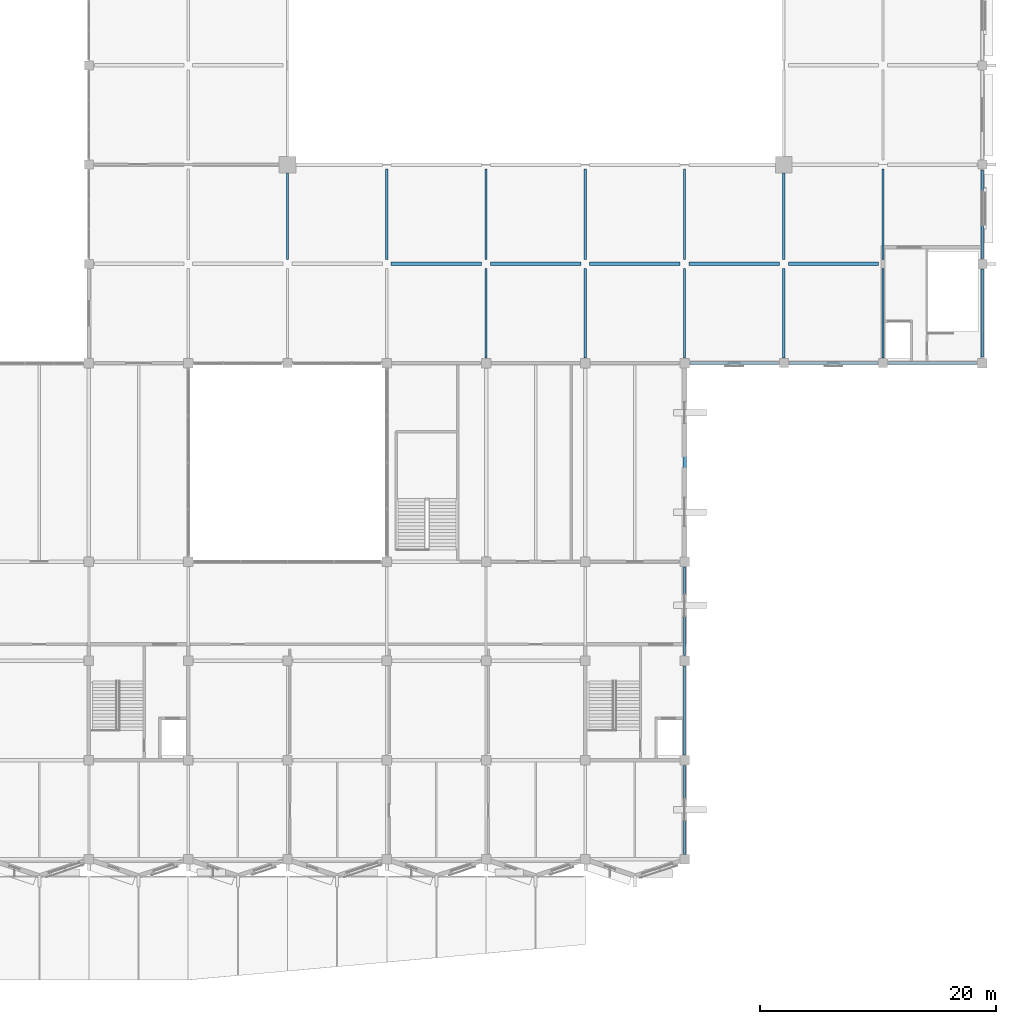
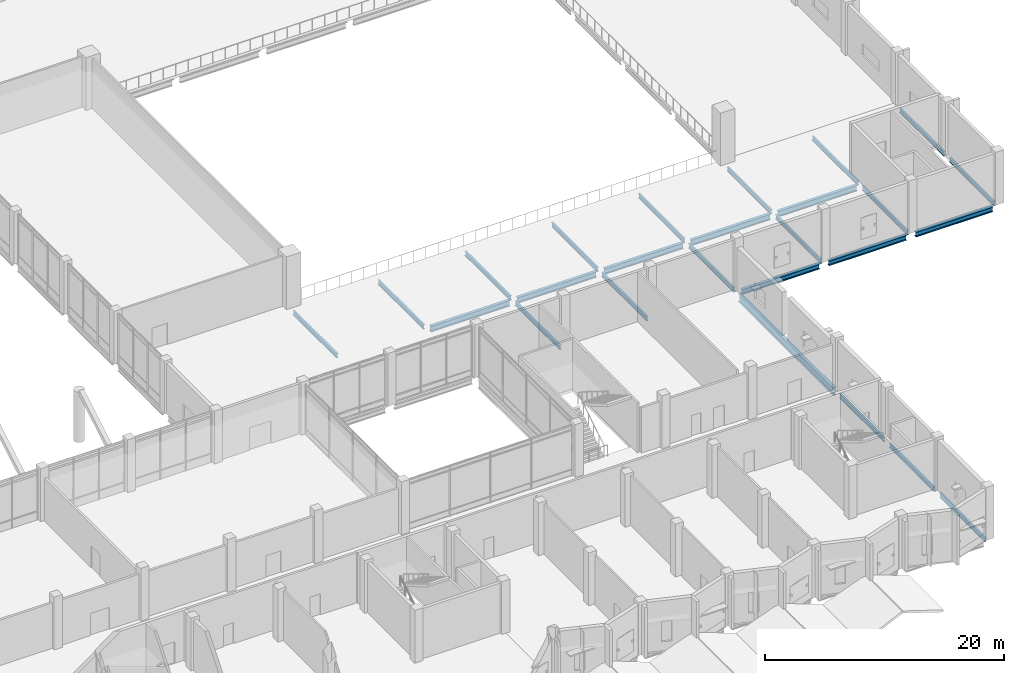
# One storey, part 26 of 72: 26 beams.
"""IFC4 building model written with IfcOpenShell, lengths in metres."""

from ifc_helpers import new_model, si_unit, direction, frame, origin, origin_2d, place, context, subcontext, project, spatial, i_section, extrude, material, material_profile, profile_set, type_object, element, save


model = new_model("IFC4")

# Units and contexts
model_context = context("Model", 3, precision=1e-05, world=origin(), true_north=direction((0.0, 1.0)))
body_context = subcontext(model_context, "Body", "Model", "MODEL_VIEW")
ifc_project = project(units=[si_unit("LENGTHUNIT", "METRE"), si_unit("AREAUNIT", "SQUARE_METRE"), si_unit("VOLUMEUNIT", "CUBIC_METRE"), si_unit("PLANEANGLEUNIT", "RADIAN"), si_unit("MASSUNIT", "GRAM", prefix="KILO")], contexts=[model_context])

# Site, building, storey
site_placement = place(None, origin())
site = spatial("IfcSite", under=ifc_project, at=site_placement, CompositionType="ELEMENT")
building_placement = place(site_placement, origin())
building = spatial("IfcBuilding", under=site, at=building_placement, Name="Qawsi Khor Wholesale Market", CompositionType="ELEMENT")
storey_placement = place(building_placement, frame((0.0, 0.0, 6.0)))
storey = spatial("IfcBuildingStorey", under=building, at=storey_placement, Name="L01", CompositionType="ELEMENT", Elevation=6.0)

# Beams
ifc_material = material(Name="Steel S355", Category="steel")
ifc_material_profile_1 = material_profile(ifc_material, i_section(OverallWidth=0.300048828125, OverallDepth=0.5, WebThickness=0.014404296875, FlangeThickness=0.028076171875, FilletRadius=0.027099609375, at=origin_2d()), Name="HEB 500")
ifc_profile_set_1 = profile_set([ifc_material_profile_1], Name="Steel S355")
beam_type_1 = type_object("IfcBeamType", Name="Heavy Edge Girder HEB 500", PredefinedType="BEAM", material=ifc_profile_set_1)
for number, where, z_axis, x_axis, name in (
    (1, (193.64990234375, 42.0, -0.52001953125), (1.0, 0.0, 0.0), (0.0, 1.0, 0.0), "BM-X-L01-23_+05"),
    (2, (202.050048828125, 42.0, -0.52001953125), (1.0, 0.0, 0.0), (0.0, 1.0, 0.0), "BM-X-L01-24_+05"),
):
    element("IfcBeam", number, at=place(storey_placement, frame(where, z_axis=z_axis, x_axis=x_axis)), inside=storey, type_object=beam_type_1, Name=name, PredefinedType="BEAM", context=body_context, shape_type="SweptSolid", body=[
        extrude(i_section(OverallWidth=0.300048828125, OverallDepth=0.5, WebThickness=0.014404296875, FlangeThickness=0.028076171875, FilletRadius=0.027099609375, at=origin_2d()), origin(), (0.0, 0.0, 1.0), 7.5),
    ])
beam_1_placement = place(storey_placement, frame((210.449951171875, 42.0, -0.530029296875), z_axis=(1.0, 0.0, 0.0), x_axis=(0.0, 1.0, 0.0)))
element("IfcBeam", 3, at=beam_1_placement, inside=storey, type_object=beam_type_1, Name="BM-X-L01-25_+05", PredefinedType="BEAM", context=body_context, shape_type="SweptSolid", body=[
    extrude(i_section(OverallWidth=0.300048828125, OverallDepth=0.5, WebThickness=0.014404296875, FlangeThickness=0.028076171875, FilletRadius=0.027099609375, at=origin_2d()), origin(), (0.0, 0.0, 1.0), 7.449951171875),
])
ifc_material_profile_2 = material_profile(ifc_material, i_section(OverallWidth=0.300048828125, OverallDepth=0.590087890625, WebThickness=0.012939453125, FlangeThickness=0.02490234375, FilletRadius=0.027099609375, at=origin_2d()), Name="HEA 600")
ifc_profile_set_2 = profile_set([ifc_material_profile_2], Name="Steel S355")
beam_type_2 = type_object("IfcBeamType", Name="Primary Girder HEA 600", PredefinedType="BEAM", material=ifc_profile_set_2)
beam_2_placement = place(storey_placement, frame((168.375, 50.39990234375, -0.56494140625), z_axis=(1.0, 0.0, 0.0), x_axis=(0.0, 1.0, 0.0)))
element("IfcBeam", 4, at=beam_2_placement, inside=storey, type_object=beam_type_2, Name="BM-X-L01-20_+06", PredefinedType="BEAM", context=body_context, shape_type="SweptSolid", body=[
    extrude(i_section(OverallWidth=0.300048828125, OverallDepth=0.590087890625, WebThickness=0.012939453125, FlangeThickness=0.02490234375, FilletRadius=0.027099609375, at=origin_2d()), origin(), (0.0, 0.0, 1.0), 7.64990234375),
])
beam_3_placement = place(storey_placement, frame((176.77490234375, 50.39990234375, -0.56494140625), z_axis=(1.0, 0.0, 0.0), x_axis=(0.0, 1.0, 0.0)))
element("IfcBeam", 5, at=beam_3_placement, inside=storey, type_object=beam_type_2, Name="BM-X-L01-21_+06", PredefinedType="BEAM", context=body_context, shape_type="SweptSolid", body=[
    extrude(i_section(OverallWidth=0.300048828125, OverallDepth=0.590087890625, WebThickness=0.012939453125, FlangeThickness=0.02490234375, FilletRadius=0.027099609375, at=origin_2d()), origin(), (0.0, 0.0, 1.0), 7.650146484375),
])
beam_4_placement = place(storey_placement, frame((185.175048828125, 50.39990234375, -0.56494140625), z_axis=(1.0, 0.0, 0.0), x_axis=(0.0, 1.0, 0.0)))
element("IfcBeam", 6, at=beam_4_placement, inside=storey, type_object=beam_type_2, Name="BM-X-L01-22_+06", PredefinedType="BEAM", context=body_context, shape_type="SweptSolid", body=[
    extrude(i_section(OverallWidth=0.300048828125, OverallDepth=0.590087890625, WebThickness=0.012939453125, FlangeThickness=0.02490234375, FilletRadius=0.027099609375, at=origin_2d()), origin(), (0.0, 0.0, 1.0), 7.64990234375),
])
beam_5_placement = place(storey_placement, frame((193.574951171875, 50.39990234375, -0.56494140625), z_axis=(1.0, 0.0, 0.0), x_axis=(0.0, 1.0, 0.0)))
element("IfcBeam", 7, at=beam_5_placement, inside=storey, type_object=beam_type_2, Name="BM-X-L01-23_+06", PredefinedType="BEAM", context=body_context, shape_type="SweptSolid", body=[
    extrude(i_section(OverallWidth=0.300048828125, OverallDepth=0.590087890625, WebThickness=0.012939453125, FlangeThickness=0.02490234375, FilletRadius=0.027099609375, at=origin_2d()), origin(), (0.0, 0.0, 1.0), 7.650146484375),
])
beam_6_placement = place(storey_placement, frame((201.97509765625, 50.39990234375, -0.56494140625), z_axis=(1.0, 0.0, 0.0), x_axis=(0.0, 1.0, 0.0)))
element("IfcBeam", 8, at=beam_6_placement, inside=storey, type_object=beam_type_2, Name="BM-X-L01-24_+06", PredefinedType="BEAM", context=body_context, shape_type="SweptSolid", body=[
    extrude(i_section(OverallWidth=0.300048828125, OverallDepth=0.590087890625, WebThickness=0.012939453125, FlangeThickness=0.02490234375, FilletRadius=0.027099609375, at=origin_2d()), origin(), (0.0, 0.0, 1.0), 7.64990234375),
])
ifc_material_profile_3 = material_profile(ifc_material, i_section(OverallWidth=0.300048828125, OverallDepth=0.7900390625, WebThickness=0.014892578125, FlangeThickness=0.028076171875, FilletRadius=0.030029296875, at=origin_2d()), Name="HEA 800")
ifc_profile_set_3 = profile_set([ifc_material_profile_3], Name="Steel S355")
beam_type_3 = type_object("IfcBeamType", Name="Primary Girder HEA 800", PredefinedType="BEAM", material=ifc_profile_set_3)
beam_7_placement = place(storey_placement, frame((193.199951171875, 25.64990234375, -0.675048828125), z_axis=(0.0, 1.0, 0.0), x_axis=(-1.0, 0.0, 0.0)))
element("IfcBeam", 9, at=beam_7_placement, inside=storey, type_object=beam_type_3, Name="BM-YL-L01-23_+03", PredefinedType="BEAM", context=body_context, shape_type="SweptSolid", body=[
    extrude(i_section(OverallWidth=0.300048828125, OverallDepth=0.7900390625, WebThickness=0.014892578125, FlangeThickness=0.028076171875, FilletRadius=0.030029296875, at=origin_2d()), origin(), (0.0, 0.0, 1.0), 15.900146484375),
])
ifc_material_profile_4 = material_profile(ifc_material, i_section(OverallWidth=0.18994140625, OverallDepth=0.449951171875, WebThickness=0.009521484375, FlangeThickness=0.0146484375, FilletRadius=0.02099609375, at=origin_2d()), Name="IPE 450")
ifc_profile_set_4 = profile_set([ifc_material_profile_4], Name="Steel S355")
beam_type_4 = type_object("IfcBeamType", Name="Secondary Beam IPE 450", PredefinedType="BEAM", material=ifc_profile_set_4)
beam_8_placement = place(storey_placement, frame((159.60009765625, 50.77490234375, -0.4951171875), z_axis=(0.0, 1.0, 0.0), x_axis=(-1.0, 0.0, 0.0)))
element("IfcBeam", 10, at=beam_8_placement, inside=storey, type_object=beam_type_4, Name="BM-Y-L01-19_+06", PredefinedType="BEAM", context=body_context, shape_type="SweptSolid", body=[
    extrude(i_section(OverallWidth=0.18994140625, OverallDepth=0.449951171875, WebThickness=0.009521484375, FlangeThickness=0.0146484375, FilletRadius=0.02099609375, at=origin_2d()), origin(), (0.0, 0.0, 1.0), 7.3251953125),
])
beam_9_placement = place(storey_placement, frame((168.0, 50.77490234375, -0.4951171875), z_axis=(0.0, 1.0, 0.0), x_axis=(-1.0, 0.0, 0.0)))
element("IfcBeam", 11, at=beam_9_placement, inside=storey, type_object=beam_type_4, Name="BM-Y-L01-20_+06", PredefinedType="BEAM", context=body_context, shape_type="SweptSolid", body=[
    extrude(i_section(OverallWidth=0.18994140625, OverallDepth=0.449951171875, WebThickness=0.009521484375, FlangeThickness=0.0146484375, FilletRadius=0.02099609375, at=origin_2d()), origin(), (0.0, 0.0, 1.0), 7.650146484375),
])
beam_10_placement = place(storey_placement, frame((176.39990234375, 42.449951171875, -0.4951171875), z_axis=(0.0, 1.0, 0.0), x_axis=(-1.0, 0.0, 0.0)))
element("IfcBeam", 12, at=beam_10_placement, inside=storey, type_object=beam_type_4, Name="BM-Y-L01-21_+05", PredefinedType="BEAM", context=body_context, shape_type="SweptSolid", body=[
    extrude(i_section(OverallWidth=0.18994140625, OverallDepth=0.449951171875, WebThickness=0.009521484375, FlangeThickness=0.0146484375, FilletRadius=0.02099609375, at=origin_2d()), origin(), (0.0, 0.0, 1.0), 7.574951171875),
])
beam_11_placement = place(storey_placement, frame((176.39990234375, 50.77490234375, -0.4951171875), z_axis=(0.0, 1.0, 0.0), x_axis=(-1.0, 0.0, 0.0)))
element("IfcBeam", 13, at=beam_11_placement, inside=storey, type_object=beam_type_4, Name="BM-Y-L01-21_+06", PredefinedType="BEAM", context=body_context, shape_type="SweptSolid", body=[
    extrude(i_section(OverallWidth=0.18994140625, OverallDepth=0.449951171875, WebThickness=0.009521484375, FlangeThickness=0.0146484375, FilletRadius=0.02099609375, at=origin_2d()), origin(), (0.0, 0.0, 1.0), 7.650146484375),
])
beam_12_placement = place(storey_placement, frame((184.800048828125, 42.449951171875, -0.4951171875), z_axis=(0.0, 1.0, 0.0), x_axis=(-1.0, 0.0, 0.0)))
element("IfcBeam", 14, at=beam_12_placement, inside=storey, type_object=beam_type_4, Name="BM-Y-L01-22_+05", PredefinedType="BEAM", context=body_context, shape_type="SweptSolid", body=[
    extrude(i_section(OverallWidth=0.18994140625, OverallDepth=0.449951171875, WebThickness=0.009521484375, FlangeThickness=0.0146484375, FilletRadius=0.02099609375, at=origin_2d()), origin(), (0.0, 0.0, 1.0), 7.574951171875),
])
beam_13_placement = place(storey_placement, frame((184.800048828125, 50.77490234375, -0.4951171875), z_axis=(0.0, 1.0, 0.0), x_axis=(-1.0, 0.0, 0.0)))
element("IfcBeam", 15, at=beam_13_placement, inside=storey, type_object=beam_type_4, Name="BM-Y-L01-22_+06", PredefinedType="BEAM", context=body_context, shape_type="SweptSolid", body=[
    extrude(i_section(OverallWidth=0.18994140625, OverallDepth=0.449951171875, WebThickness=0.009521484375, FlangeThickness=0.0146484375, FilletRadius=0.02099609375, at=origin_2d()), origin(), (0.0, 0.0, 1.0), 7.650146484375),
])
beam_14_placement = place(storey_placement, frame((193.199951171875, 0.39990234375, -0.5048828125), z_axis=(0.0, 1.0, 0.0), x_axis=(-1.0, 0.0, 0.0)))
element("IfcBeam", 16, at=beam_14_placement, inside=storey, type_object=beam_type_4, Name="BM-Y-L01-23_+00", PredefinedType="BEAM", context=body_context, shape_type="SweptSolid", body=[
    extrude(i_section(OverallWidth=0.18994140625, OverallDepth=0.449951171875, WebThickness=0.009521484375, FlangeThickness=0.0146484375, FilletRadius=0.02099609375, at=origin_2d()), origin(), (0.0, 0.0, 1.0), 7.550048828125),
])
for number, where, z_axis, x_axis, name in (
    (17, (193.199951171875, 8.85009765625, -0.5048828125), (0.0, 1.0, 0.0), (-1.0, 0.0, 0.0), "BM-Y-L01-23_+01"),
    (18, (193.199951171875, 17.25, -0.5048828125), (0.0, 1.0, 0.0), (-1.0, 0.0, 0.0), "BM-Y-L01-23_+02"),
):
    element("IfcBeam", number, at=place(storey_placement, frame(where, z_axis=z_axis, x_axis=x_axis)), inside=storey, type_object=beam_type_4, Name=name, PredefinedType="BEAM", context=body_context, shape_type="SweptSolid", body=[
        extrude(i_section(OverallWidth=0.18994140625, OverallDepth=0.449951171875, WebThickness=0.009521484375, FlangeThickness=0.0146484375, FilletRadius=0.02099609375, at=origin_2d()), origin(), (0.0, 0.0, 1.0), 7.5),
    ])
beam_15_placement = place(storey_placement, frame((193.199951171875, 42.449951171875, -0.4951171875), z_axis=(0.0, 1.0, 0.0), x_axis=(-1.0, 0.0, 0.0)))
element("IfcBeam", 19, at=beam_15_placement, inside=storey, type_object=beam_type_4, Name="BM-Y-L01-23_+05", PredefinedType="BEAM", context=body_context, shape_type="SweptSolid", body=[
    extrude(i_section(OverallWidth=0.18994140625, OverallDepth=0.449951171875, WebThickness=0.009521484375, FlangeThickness=0.0146484375, FilletRadius=0.02099609375, at=origin_2d()), origin(), (0.0, 0.0, 1.0), 7.574951171875),
])
beam_16_placement = place(storey_placement, frame((193.199951171875, 50.77490234375, -0.4951171875), z_axis=(0.0, 1.0, 0.0), x_axis=(-1.0, 0.0, 0.0)))
element("IfcBeam", 20, at=beam_16_placement, inside=storey, type_object=beam_type_4, Name="BM-Y-L01-23_+06", PredefinedType="BEAM", context=body_context, shape_type="SweptSolid", body=[
    extrude(i_section(OverallWidth=0.18994140625, OverallDepth=0.449951171875, WebThickness=0.009521484375, FlangeThickness=0.0146484375, FilletRadius=0.02099609375, at=origin_2d()), origin(), (0.0, 0.0, 1.0), 7.650146484375),
])
beam_17_placement = place(storey_placement, frame((201.60009765625, 42.449951171875, -0.4951171875), z_axis=(0.0, 1.0, 0.0), x_axis=(-1.0, 0.0, 0.0)))
element("IfcBeam", 21, at=beam_17_placement, inside=storey, type_object=beam_type_4, Name="BM-Y-L01-24_+05", PredefinedType="BEAM", context=body_context, shape_type="SweptSolid", body=[
    extrude(i_section(OverallWidth=0.18994140625, OverallDepth=0.449951171875, WebThickness=0.009521484375, FlangeThickness=0.0146484375, FilletRadius=0.02099609375, at=origin_2d()), origin(), (0.0, 0.0, 1.0), 7.574951171875),
])
beam_18_placement = place(storey_placement, frame((201.60009765625, 50.77490234375, -0.4951171875), z_axis=(0.0, 1.0, 0.0), x_axis=(-1.0, 0.0, 0.0)))
element("IfcBeam", 22, at=beam_18_placement, inside=storey, type_object=beam_type_4, Name="BM-Y-L01-24_+06", PredefinedType="BEAM", context=body_context, shape_type="SweptSolid", body=[
    extrude(i_section(OverallWidth=0.18994140625, OverallDepth=0.449951171875, WebThickness=0.009521484375, FlangeThickness=0.0146484375, FilletRadius=0.02099609375, at=origin_2d()), origin(), (0.0, 0.0, 1.0), 7.3251953125),
])
beam_19_placement = place(storey_placement, frame((210.0, 42.449951171875, -0.5048828125), z_axis=(0.0, 1.0, 0.0), x_axis=(-1.0, 0.0, 0.0)))
element("IfcBeam", 23, at=beam_19_placement, inside=storey, type_object=beam_type_4, Name="BM-Y-L01-25_+05", PredefinedType="BEAM", context=body_context, shape_type="SweptSolid", body=[
    extrude(i_section(OverallWidth=0.18994140625, OverallDepth=0.449951171875, WebThickness=0.009521484375, FlangeThickness=0.0146484375, FilletRadius=0.02099609375, at=origin_2d()), origin(), (0.0, 0.0, 1.0), 7.574951171875),
])
beam_20_placement = place(storey_placement, frame((210.0, 50.77490234375, -0.4951171875), z_axis=(0.0, 1.0, 0.0), x_axis=(-1.0, 0.0, 0.0)))
element("IfcBeam", 24, at=beam_20_placement, inside=storey, type_object=beam_type_4, Name="BM-Y-L01-25_+06", PredefinedType="BEAM", context=body_context, shape_type="SweptSolid", body=[
    extrude(i_section(OverallWidth=0.18994140625, OverallDepth=0.449951171875, WebThickness=0.009521484375, FlangeThickness=0.0146484375, FilletRadius=0.02099609375, at=origin_2d()), origin(), (0.0, 0.0, 1.0), 7.650146484375),
])
beam_21_placement = place(storey_placement, frame((218.39990234375, 42.5, -0.5048828125), z_axis=(0.0, 1.0, 0.0), x_axis=(-1.0, 0.0, 0.0)))
element("IfcBeam", 25, at=beam_21_placement, inside=storey, type_object=beam_type_4, Name="BM-Y-L01-26_+05", PredefinedType="BEAM", context=body_context, shape_type="SweptSolid", body=[
    extrude(i_section(OverallWidth=0.18994140625, OverallDepth=0.449951171875, WebThickness=0.009521484375, FlangeThickness=0.0146484375, FilletRadius=0.02099609375, at=origin_2d()), origin(), (0.0, 0.0, 1.0), 7.449951171875),
])
beam_22_placement = place(storey_placement, frame((218.39990234375, 50.85009765625, -0.4951171875), z_axis=(0.0, 1.0, 0.0), x_axis=(-1.0, 0.0, 0.0)))
element("IfcBeam", 26, at=beam_22_placement, inside=storey, type_object=beam_type_4, Name="BM-Y-L01-26_+06", PredefinedType="BEAM", context=body_context, shape_type="SweptSolid", body=[
    extrude(i_section(OverallWidth=0.18994140625, OverallDepth=0.449951171875, WebThickness=0.009521484375, FlangeThickness=0.0146484375, FilletRadius=0.02099609375, at=origin_2d()), origin(), (0.0, 0.0, 1.0), 7.5),
])

save(model, "model.ifc")
